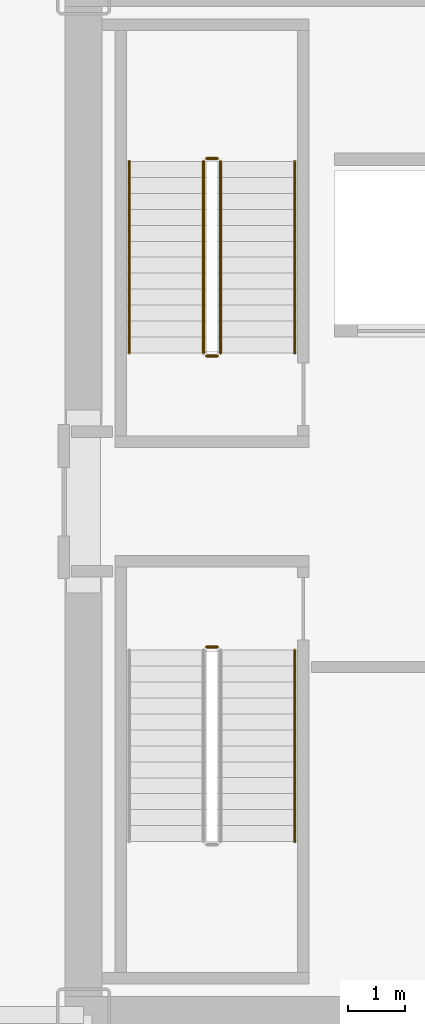
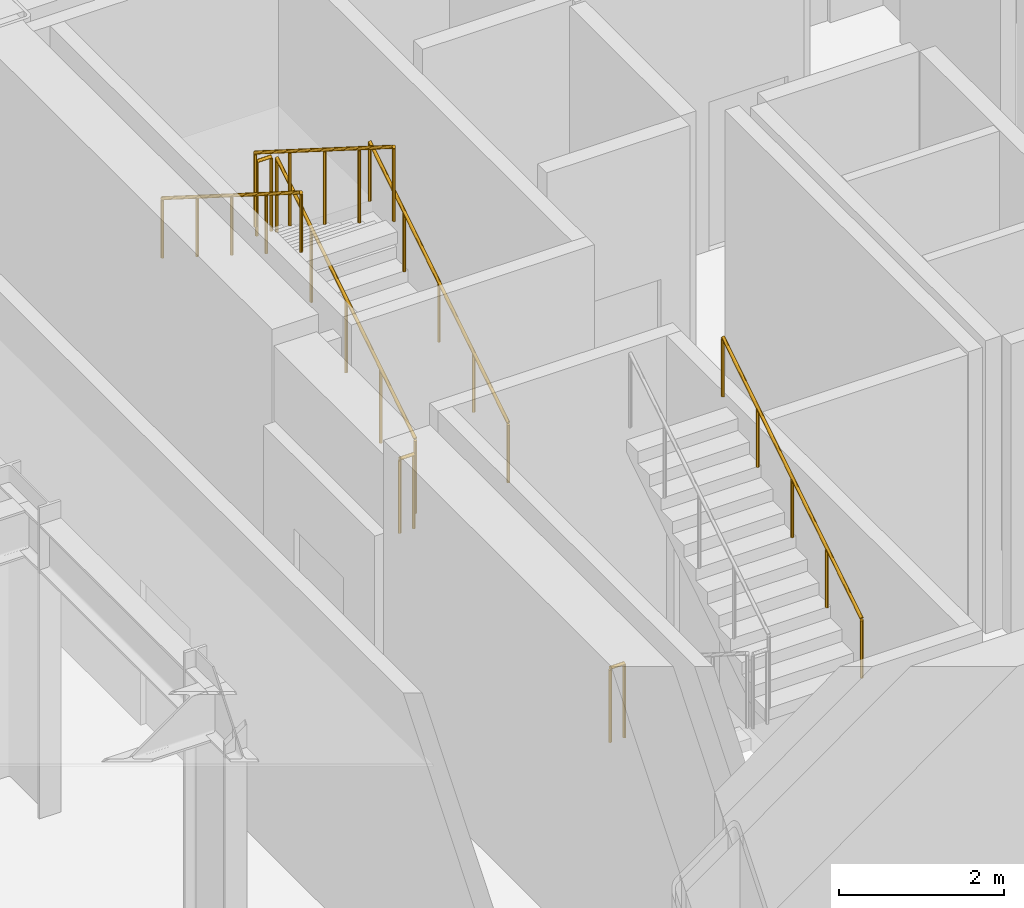
# One storey, part 28 of 30: 8 railings.
"""IFC4 building model written with IfcOpenShell, lengths in metres."""

from ifc_helpers import new_model, si_unit, direction, frame, origin, origin_2d, place, context, subcontext, project, spatial, circle, extrude, material, type_object, element, save


model = new_model("IFC4")

# Units and contexts
model_context = context("Model", 3, precision=1e-05, world=origin(), true_north=direction((0.0, 1.0)))
body_context = subcontext(model_context, "Body", "Model", "MODEL_VIEW")
ifc_project = project(units=[si_unit("LENGTHUNIT", "METRE"), si_unit("AREAUNIT", "SQUARE_METRE"), si_unit("VOLUMEUNIT", "CUBIC_METRE"), si_unit("PLANEANGLEUNIT", "RADIAN"), si_unit("MASSUNIT", "GRAM", prefix="KILO")], contexts=[model_context])

# Site, building, storey
site_placement = place(None, origin())
site = spatial("IfcSite", under=ifc_project, at=site_placement, CompositionType="ELEMENT")
building_placement = place(site_placement, origin())
building = spatial("IfcBuilding", under=site, at=building_placement, Name="Nefas-Gora Pilgrimage Tower", CompositionType="ELEMENT")
storey_placement = place(building_placement, frame((0.0, 0.0, 86.199951171875)))
storey = spatial("IfcBuildingStorey", under=building, at=storey_placement, Name="L20", CompositionType="ELEMENT", Elevation=86.199951171875)

# Railings
ifc_material_1 = material(Name="Painted galvanised steel", Category="steel")
railing_type_1 = type_object("IfcRailingType", Name="RLG-STR-GUARD-1100", PredefinedType="GUARDRAIL", material=ifc_material_1)
railing_1_placement = place(storey_placement, frame((-8.85009765625, 2.60009765625, 0.177001953125)))
element("IfcRailing", 1, at=railing_1_placement, inside=storey, type_object=railing_type_1, Name="L20 ST-01 stair guard 1", PredefinedType="GUARDRAIL", context=body_context, shape_type="SweptSolid", body=[
    extrude(circle(Radius=0.02392578125, at=origin_2d()), frame((0.0, 0.0, 1.09619140625), z_axis=(0.0, 0.845372108799, 0.534177870812), x_axis=(-1.0, 0.0, 0.0)), (0.0, 0.0, 1.0), 3.974365234375),
    extrude(circle(Radius=0.02099609375, at=origin_2d()), origin(), (0.0, 0.0, 1.0), 1.072021484375),
    extrude(circle(Radius=0.02099609375, at=origin_2d()), frame((0.0, 0.83984375, 0.53076171875)), (0.0, 0.0, 1.0), 1.072021484375),
    extrude(circle(Radius=0.02099609375, at=origin_2d()), frame((0.0, 1.679931640625, 1.0615234375)), (0.0, 0.0, 1.0), 1.072021484375),
    extrude(circle(Radius=0.02099609375, at=origin_2d()), frame((0.0, 2.52001953125, 1.59228515625)), (0.0, 0.0, 1.0), 1.072021484375),
    extrude(circle(Radius=0.02099609375, at=origin_2d()), frame((0.0, 3.35986328125, 2.123046875)), (0.0, 0.0, 1.0), 1.072021484375),
])
railing_2_placement = place(storey_placement, frame((-8.89990234375, 6.010009765625, 2.300048828125)))
element("IfcRailing", 2, at=railing_2_placement, inside=storey, type_object=railing_type_1, Name="L20 ST-01 stair guard 2", PredefinedType="GUARDRAIL", context=body_context, shape_type="SweptSolid", body=[
    extrude(circle(Radius=0.02392578125, at=origin_2d()), frame((0.0, 0.0, 1.09619140625), z_axis=(-1.0, 0.0, 0.0), x_axis=(0.0, -1.0, 0.0)), (0.0, 0.0, 1.0), 0.2001953125),
    extrude(circle(Radius=0.02099609375, at=origin_2d()), origin(), (0.0, 0.0, 1.0), 1.072021484375),
    extrude(circle(Radius=0.02099609375, at=origin_2d()), frame((-0.2001953125, 0.0, 0.0)), (0.0, 0.0, 1.0), 1.072021484375),
])
railing_3_placement = place(storey_placement, frame((-9.14990234375, 5.9599609375, 2.47705078125)))
element("IfcRailing", 3, at=railing_3_placement, inside=storey, type_object=railing_type_1, Name="L20 ST-01 stair guard 3", PredefinedType="GUARDRAIL", context=body_context, shape_type="SweptSolid", body=[
    extrude(circle(Radius=0.02392578125, at=origin_2d()), frame((0.0, 0.0, 1.09619140625), z_axis=(0.0, -0.845372108799, 0.534177870812), x_axis=(1.0, 0.0, 0.0)), (0.0, 0.0, 1.0), 3.974365234375),
    extrude(circle(Radius=0.02099609375, at=origin_2d()), origin(), (0.0, 0.0, 1.0), 1.072021484375),
    extrude(circle(Radius=0.02099609375, at=origin_2d()), frame((0.0, -0.83984375, 0.53076171875)), (0.0, 0.0, 1.0), 1.072021484375),
    extrude(circle(Radius=0.02099609375, at=origin_2d()), frame((0.0, -1.679931640625, 1.0615234375)), (0.0, 0.0, 1.0), 1.072021484375),
    extrude(circle(Radius=0.02099609375, at=origin_2d()), frame((0.0, -2.52001953125, 1.59228515625)), (0.0, 0.0, 1.0), 1.072021484375),
    extrude(circle(Radius=0.02099609375, at=origin_2d()), frame((0.0, -3.35986328125, 2.123046875)), (0.0, 0.0, 1.0), 1.072021484375),
])
railing_4_placement = place(storey_placement, frame((-8.89990234375, 2.550048828125, 0.0)))
element("IfcRailing", 4, at=railing_4_placement, inside=storey, type_object=railing_type_1, Name="L20 ST-01 stair guard 4", PredefinedType="GUARDRAIL", context=body_context, shape_type="SweptSolid", body=[
    extrude(circle(Radius=0.02392578125, at=origin_2d()), frame((0.0, 0.0, 1.09619140625), z_axis=(-1.0, 0.0, 0.0), x_axis=(0.0, -1.0, 0.0)), (0.0, 0.0, 1.0), 0.2001953125),
    extrude(circle(Radius=0.02099609375, at=origin_2d()), origin(), (0.0, 0.0, 1.0), 1.072021484375),
    extrude(circle(Radius=0.02099609375, at=origin_2d()), frame((-0.2001953125, 0.0, 0.0)), (0.0, 0.0, 1.0), 1.072021484375),
])
railing_5_placement = place(storey_placement, frame((-9.10009765625, -2.550048828125, 0.0)))
element("IfcRailing", 5, at=railing_5_placement, inside=storey, type_object=railing_type_1, Name="L20 ST-03 stair guard 4", PredefinedType="GUARDRAIL", context=body_context, shape_type="SweptSolid", body=[
    extrude(circle(Radius=0.02392578125, at=origin_2d()), frame((0.0, 0.0, 1.09619140625), z_axis=(1.0, 0.0, 0.0), x_axis=(0.0, 1.0, 0.0)), (0.0, 0.0, 1.0), 0.2001953125),
    extrude(circle(Radius=0.02099609375, at=origin_2d()), origin(), (0.0, 0.0, 1.0), 1.072021484375),
    extrude(circle(Radius=0.02099609375, at=origin_2d()), frame((0.2001953125, 0.0, 0.0)), (0.0, 0.0, 1.0), 1.072021484375),
])
ifc_material_2 = material(Name="Brushed stainless steel", Category="steel")
railing_type_2 = type_object("IfcRailingType", Name="RLG-STR-HAND-900", PredefinedType="HANDRAIL", material=ifc_material_2)
railing_6_placement = place(storey_placement, frame((-7.550048828125, 2.60009765625, 0.177001953125)))
element("IfcRailing", 6, at=railing_6_placement, inside=storey, type_object=railing_type_2, Name="L20 ST-01 stair handrail 1", PredefinedType="HANDRAIL", context=body_context, shape_type="SweptSolid", body=[
    extrude(circle(Radius=0.02392578125, at=origin_2d()), frame((0.0, 0.0, 0.8759765625), z_axis=(0.0, 0.845372108799, 0.534177870812), x_axis=(-1.0, 0.0, 0.0)), (0.0, 0.0, 1.0), 3.974365234375),
    extrude(circle(Radius=0.02099609375, at=origin_2d()), origin(), (0.0, 0.0, 1.0), 0.851806640625),
    extrude(circle(Radius=0.02099609375, at=origin_2d()), frame((0.0, 0.83984375, 0.53076171875)), (0.0, 0.0, 1.0), 0.851806640625),
    extrude(circle(Radius=0.02099609375, at=origin_2d()), frame((0.0, 1.679931640625, 1.0615234375)), (0.0, 0.0, 1.0), 0.851806640625),
    extrude(circle(Radius=0.02099609375, at=origin_2d()), frame((0.0, 2.52001953125, 1.59228515625)), (0.0, 0.0, 1.0), 0.851806640625),
    extrude(circle(Radius=0.02099609375, at=origin_2d()), frame((0.0, 3.35986328125, 2.123046875)), (0.0, 0.0, 1.0), 0.851806640625),
])
railing_7_placement = place(storey_placement, frame((-10.449951171875, 5.9599609375, 2.47705078125)))
element("IfcRailing", 7, at=railing_7_placement, inside=storey, type_object=railing_type_2, Name="L20 ST-01 stair handrail 2", PredefinedType="HANDRAIL", context=body_context, shape_type="SweptSolid", body=[
    extrude(circle(Radius=0.02392578125, at=origin_2d()), frame((0.0, 0.0, 0.8759765625), z_axis=(0.0, -0.845372108799, 0.534177870812), x_axis=(1.0, 0.0, 0.0)), (0.0, 0.0, 1.0), 3.974365234375),
    extrude(circle(Radius=0.02099609375, at=origin_2d()), origin(), (0.0, 0.0, 1.0), 0.851806640625),
    extrude(circle(Radius=0.02099609375, at=origin_2d()), frame((0.0, -0.83984375, 0.53076171875)), (0.0, 0.0, 1.0), 0.851806640625),
    extrude(circle(Radius=0.02099609375, at=origin_2d()), frame((0.0, -1.679931640625, 1.0615234375)), (0.0, 0.0, 1.0), 0.851806640625),
    extrude(circle(Radius=0.02099609375, at=origin_2d()), frame((0.0, -2.52001953125, 1.59228515625)), (0.0, 0.0, 1.0), 0.851806640625),
    extrude(circle(Radius=0.02099609375, at=origin_2d()), frame((0.0, -3.35986328125, 2.123046875)), (0.0, 0.0, 1.0), 0.851806640625),
])
railing_8_placement = place(storey_placement, frame((-7.550048828125, -5.9599609375, 2.47705078125)))
element("IfcRailing", 8, at=railing_8_placement, inside=storey, type_object=railing_type_2, Name="L20 ST-03 stair handrail 2", PredefinedType="HANDRAIL", context=body_context, shape_type="SweptSolid", body=[
    extrude(circle(Radius=0.02392578125, at=origin_2d()), frame((0.0, 0.0, 0.8759765625), z_axis=(0.0, 0.845372108799, 0.534177870812), x_axis=(-1.0, 0.0, 0.0)), (0.0, 0.0, 1.0), 3.974365234375),
    extrude(circle(Radius=0.02099609375, at=origin_2d()), origin(), (0.0, 0.0, 1.0), 0.851806640625),
    extrude(circle(Radius=0.02099609375, at=origin_2d()), frame((0.0, 0.83984375, 0.53076171875)), (0.0, 0.0, 1.0), 0.851806640625),
    extrude(circle(Radius=0.02099609375, at=origin_2d()), frame((0.0, 1.679931640625, 1.0615234375)), (0.0, 0.0, 1.0), 0.851806640625),
    extrude(circle(Radius=0.02099609375, at=origin_2d()), frame((0.0, 2.52001953125, 1.59228515625)), (0.0, 0.0, 1.0), 0.851806640625),
    extrude(circle(Radius=0.02099609375, at=origin_2d()), frame((0.0, 3.35986328125, 2.123046875)), (0.0, 0.0, 1.0), 0.851806640625),
])

save(model, "model.ifc")
